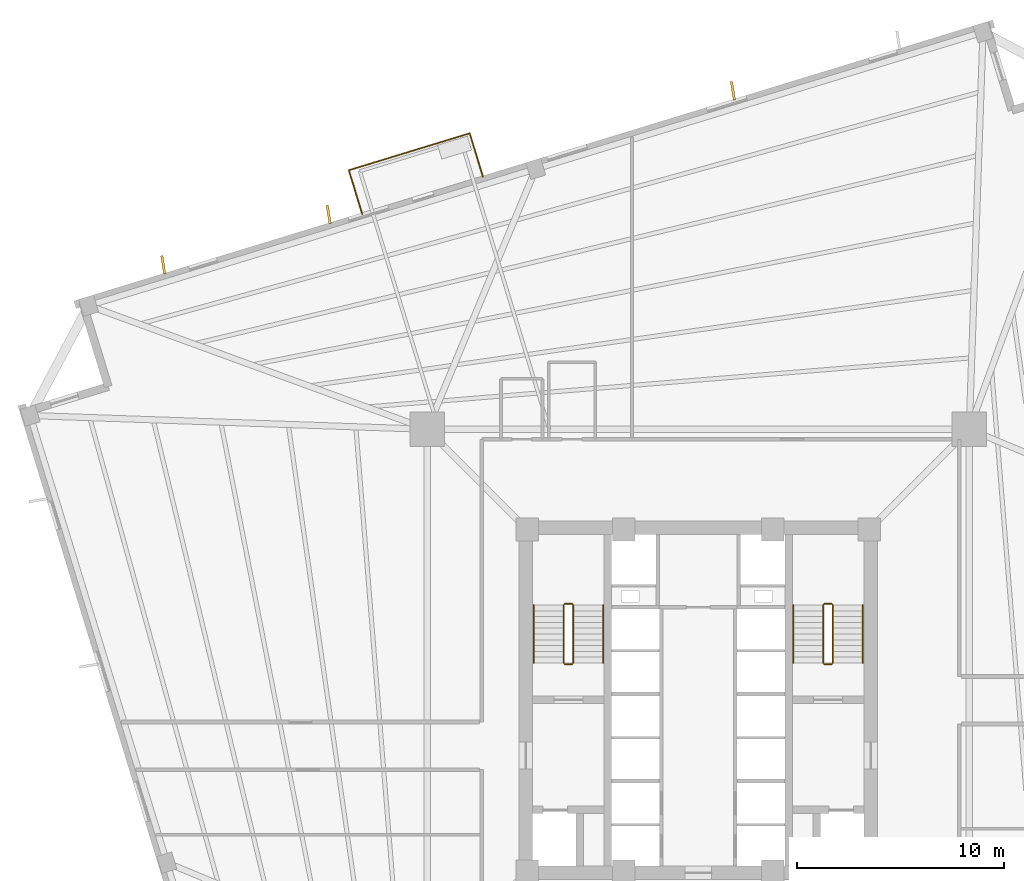
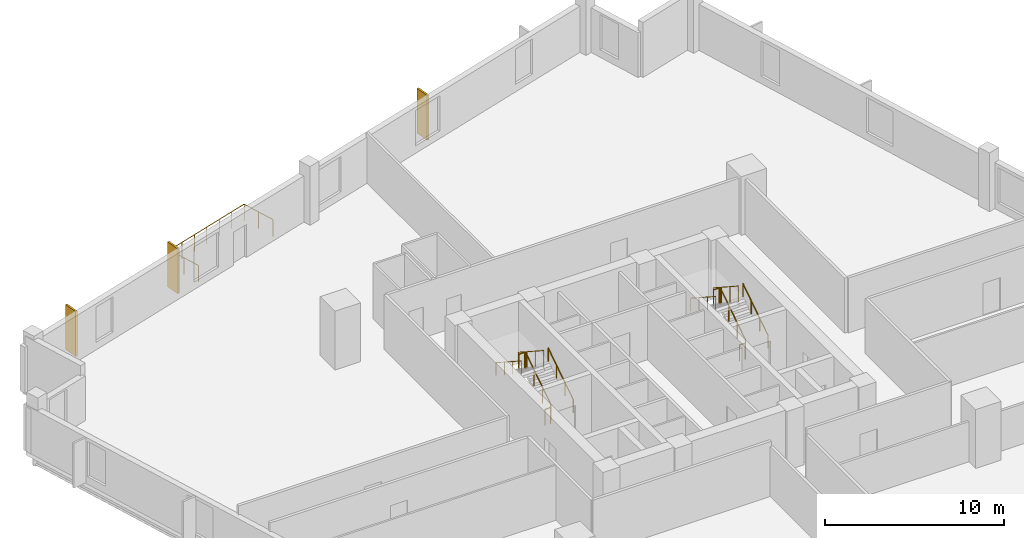
# One storey, part 7 of 8: 15 railings, 3 coverings.
"""IFC4 building model written with IfcOpenShell, lengths in metres."""

from ifc_helpers import new_model, si_unit, direction, frame, origin, origin_2d, place, context, subcontext, project, spatial, rectangle, circle, extrude, source, transform, mapped, material, layer, layer_set, type_object, element, save


model = new_model("IFC4")

# Units and contexts
model_context = context("Model", 3, precision=1e-05, world=origin(), true_north=direction((0.0, 1.0)))
body_context = subcontext(model_context, "Body", "Model", "MODEL_VIEW")
ifc_project = project(units=[si_unit("LENGTHUNIT", "METRE"), si_unit("AREAUNIT", "SQUARE_METRE"), si_unit("VOLUMEUNIT", "CUBIC_METRE"), si_unit("PLANEANGLEUNIT", "RADIAN"), si_unit("MASSUNIT", "GRAM", prefix="KILO"), si_unit("THERMODYNAMICTEMPERATUREUNIT", "KELVIN")], contexts=[model_context])

# Site, building, storey
site_placement = place(None, origin())
site = spatial("IfcSite", under=ifc_project, at=site_placement, CompositionType="ELEMENT")
building_placement = place(site_placement, origin())
building = spatial("IfcBuilding", under=site, at=building_placement, Name="Kosmvard Interchange Tower", CompositionType="ELEMENT")
storey_placement = place(building_placement, frame((0.0, 0.0, 99.199951171875)))
storey = spatial("IfcBuildingStorey", under=building, at=storey_placement, Name="L23", CompositionType="ELEMENT", Elevation=99.199951171875)

# Coverings
ifc_material_1 = material(Name="Architectural anodised aluminium", Category="aluminium")
ifc_layer = layer(ifc_material_1, 0.1201171875, Name="Architectural anodised aluminium")
ifc_layer_set = layer_set([ifc_layer], Name="Architectural anodised aluminium")
covering_type = type_object("IfcCoveringType", Name="Rotating Vertical Sun-Breaker Fin 900x120 Aluminium", PredefinedType="CLADDING", material=ifc_layer_set)
shared_shape_1 = source(origin(), body_context, "Body", "SweptSolid", [
    extrude(rectangle(XDim=0.89990234375, YDim=0.1201171875, at=origin_2d()), origin(), (0.0, 0.0, 1.0), 3.06005859375),
])
for number, where, z_axis, x_axis, name in (
    (1, (1.673583984375, 29.425048828125, 0.0400390625), (0.0, 0.0, 1.0), (-0.158330401065, 0.987386187922, 0.0), "L23 Rotating Vertical Sun-Breaker Fin 10"),
    (2, (-17.841796875, 23.45849609375, 0.0400390625), (0.0, 0.0, 1.0), (-0.158330401065, 0.987386187922, 0.0), "L23 Rotating Vertical Sun-Breaker Fin 11"),
    (3, (-25.825439453125, 21.017822265625, 0.0400390625), (0.0, 0.0, 1.0), (-0.158330401065, 0.987386187922, 0.0), "L23 Rotating Vertical Sun-Breaker Fin 12"),
):
    element("IfcCovering", number, at=place(storey_placement, frame(where, z_axis=z_axis, x_axis=x_axis)), inside=storey, type_object=covering_type, Name=name, PredefinedType="CLADDING", context=body_context, shape_type="MappedRepresentation", body=[
        mapped(shared_shape_1, transform((0.0, 0.0, 0.0), scale=1.0)),
    ])

# Railings
ifc_material_2 = material(Name="Steel S355", Category="steel")
railing_type_1 = type_object("IfcRailingType", Name="Observation & Balcony Glass-Infill Balustrade 1150", PredefinedType="BALUSTRADE", material=ifc_material_2)
shared_shape_2 = source(origin(), body_context, "Body", "SweptSolid", [
    extrude(circle(Radius=0.02392578125, at=origin_2d()), frame((0.0, 0.0, 1.1259765625), z_axis=(0.292291835236, -0.956329170869, 0.0), x_axis=(0.956329170869, 0.292291835236, 0.0)), (0.0, 0.0, 1.0), 2.2001953125),
    extrude(circle(Radius=0.02099609375, at=origin_2d()), origin(), (0.0, 0.0, 1.0), 1.101806640625),
    extrude(circle(Radius=0.02099609375, at=origin_2d()), frame((0.321533203125, -1.052001953125, 0.0)), (0.0, 0.0, 1.0), 1.101806640625),
    extrude(circle(Radius=0.02099609375, at=origin_2d()), frame((0.64306640625, -2.10400390625, 0.0)), (0.0, 0.0, 1.0), 1.101806640625),
])
railing_1_placement = place(storey_placement, frame((-16.86767578125, 25.58642578125, 0.0)))
element("IfcRailing", 4, at=railing_1_placement, inside=storey, type_object=railing_type_1, Name="L23 Outdoor Terrace Guard BAL-L23-NE-C", PredefinedType="BALUSTRADE", context=body_context, shape_type="MappedRepresentation", body=[
    mapped(shared_shape_2, transform((0.0, 0.0, 0.0), scale=1.0)),
])
shared_shape_3 = source(origin(), body_context, "Body", "SweptSolid", [
    extrude(circle(Radius=0.02392578125, at=origin_2d()), frame((0.0, 0.0, 1.1259765625), z_axis=(-0.292291835236, 0.956329170869, 0.0), x_axis=(-0.956329170869, -0.292291835236, 0.0)), (0.0, 0.0, 1.0), 2.2001953125),
    extrude(circle(Radius=0.02099609375, at=origin_2d()), origin(), (0.0, 0.0, 1.0), 1.101806640625),
    extrude(circle(Radius=0.02099609375, at=origin_2d()), frame((-0.321533203125, 1.052001953125, 0.0)), (0.0, 0.0, 1.0), 1.101806640625),
    extrude(circle(Radius=0.02099609375, at=origin_2d()), frame((-0.64306640625, 2.10400390625, 0.0)), (0.0, 0.0, 1.0), 1.101806640625),
])
railing_2_placement = place(storey_placement, frame((-10.39111328125, 25.265869140625, 0.0)))
element("IfcRailing", 5, at=railing_2_placement, inside=storey, type_object=railing_type_1, Name="L23 Outdoor Terrace Guard BAL-L23-NE-A", PredefinedType="BALUSTRADE", context=body_context, shape_type="MappedRepresentation", body=[
    mapped(shared_shape_3, transform((0.0, 0.0, 0.0), scale=1.0)),
])
shared_shape_4 = source(origin(), body_context, "Body", "SweptSolid", [
    extrude(circle(Radius=0.02392578125, at=origin_2d()), frame((0.0, 0.0, 1.1259765625), z_axis=(-0.956306198406, -0.292366986664, 0.0), x_axis=(0.292366986664, -0.956306198406, 0.0)), (0.0, 0.0, 1.0), 6.10009765625),
    extrude(circle(Radius=0.02099609375, at=origin_2d()), origin(), (0.0, 0.0, 1.0), 1.101806640625),
    extrude(circle(Radius=0.02099609375, at=origin_2d()), frame((-0.97216796875, -0.29736328125, 0.0)), (0.0, 0.0, 1.0), 1.101806640625),
    extrude(circle(Radius=0.02099609375, at=origin_2d()), frame((-1.944580078125, -0.594482421875, 0.0)), (0.0, 0.0, 1.0), 1.101806640625),
    extrude(circle(Radius=0.02099609375, at=origin_2d()), frame((-2.916748046875, -0.8916015625, 0.0)), (0.0, 0.0, 1.0), 1.101806640625),
    extrude(circle(Radius=0.02099609375, at=origin_2d()), frame((-3.888916015625, -1.18896484375, 0.0)), (0.0, 0.0, 1.0), 1.101806640625),
    extrude(circle(Radius=0.02099609375, at=origin_2d()), frame((-4.861328125, -1.486328125, 0.0)), (0.0, 0.0, 1.0), 1.101806640625),
    extrude(circle(Radius=0.02099609375, at=origin_2d()), frame((-5.83349609375, -1.783447265625, 0.0)), (0.0, 0.0, 1.0), 1.101806640625),
])
railing_3_placement = place(storey_placement, frame((-11.0341796875, 27.369873046875, 0.0)))
element("IfcRailing", 6, at=railing_3_placement, inside=storey, type_object=railing_type_1, Name="L23 Outdoor Terrace Guard BAL-L23-NE-B", PredefinedType="BALUSTRADE", context=body_context, shape_type="MappedRepresentation", body=[
    mapped(shared_shape_4, transform((0.0, 0.0, 0.0), scale=1.0)),
])
railing_type_2 = type_object("IfcRailingType", Name="Stair & Terrace Safety Guardrail 1100 Steel", PredefinedType="GUARDRAIL", material=ifc_material_2)
shared_shape_5 = source(origin(), body_context, "Body", "SweptSolid", [
    extrude(circle(Radius=0.02392578125, at=origin_2d()), frame((0.0, 0.0, 1.076171875), z_axis=(-1.0, 0.0, 0.0), x_axis=(0.0, -1.0, 0.0)), (0.0, 0.0, 1.0), 0.35986328125),
    extrude(circle(Radius=0.02099609375, at=origin_2d()), origin(), (0.0, 0.0, 1.0), 1.052001953125),
    extrude(circle(Radius=0.02099609375, at=origin_2d()), frame((-0.35986328125, 0.0, 0.0)), (0.0, 0.0, 1.0), 1.052001953125),
])
for number, where, name in (
    (7, (-6.090087890625, 4.64990234375, 2.0), "L23 ST-1 stair guard 2"),
    (8, (-6.090087890625, 1.75, 0.0), "L23 ST-1 stair guard 4"),
    (9, (6.449951171875, 4.64990234375, 2.0), "L23 ST-2 stair guard 2"),
    (10, (6.449951171875, 1.75, 0.0), "L23 ST-2 stair guard 4"),
):
    element("IfcRailing", number, at=place(storey_placement, frame(where)), inside=storey, type_object=railing_type_2, Name=name, PredefinedType="GUARDRAIL", context=body_context, shape_type="MappedRepresentation", body=[
        mapped(shared_shape_5, transform((0.0, 0.0, 0.0), scale=1.0)),
    ])
shared_shape_6 = source(origin(), body_context, "Body", "SweptSolid", [
    extrude(circle(Radius=0.02392578125, at=origin_2d()), frame((0.0, 0.0, 1.076171875), z_axis=(0.0, 0.838705829183, 0.544584733623), x_axis=(-1.0, 0.0, 0.0)), (0.0, 0.0, 1.0), 3.338623046875),
    extrude(circle(Radius=0.02099609375, at=origin_2d()), origin(), (0.0, 0.0, 1.0), 1.052001953125),
    extrude(circle(Radius=0.02099609375, at=origin_2d()), frame((0.0, 0.933349609375, 0.60595703125)), (0.0, 0.0, 1.0), 1.052001953125),
    extrude(circle(Radius=0.02099609375, at=origin_2d()), frame((0.0, 1.86669921875, 1.212158203125)), (0.0, 0.0, 1.0), 1.052001953125),
    extrude(circle(Radius=0.02099609375, at=origin_2d()), frame((0.0, 2.800048828125, 1.818115234375)), (0.0, 0.0, 1.0), 1.052001953125),
])
for number, where, name in (
    (11, (-6.0400390625, 1.800048828125, 0.181884765625), "L23 ST-1 stair guard 1"),
    (12, (6.5, 1.800048828125, 0.181884765625), "L23 ST-2 stair guard 1"),
):
    element("IfcRailing", number, at=place(storey_placement, frame(where)), inside=storey, type_object=railing_type_2, Name=name, PredefinedType="GUARDRAIL", context=body_context, shape_type="MappedRepresentation", body=[
        mapped(shared_shape_6, transform((0.0, 0.0, 0.0), scale=1.0)),
    ])
shared_shape_7 = source(origin(), body_context, "Body", "SweptSolid", [
    extrude(circle(Radius=0.02392578125, at=origin_2d()), frame((0.0, 0.0, 1.076171875), z_axis=(0.0, -0.838705829183, 0.544584733623), x_axis=(1.0, 0.0, 0.0)), (0.0, 0.0, 1.0), 3.338623046875),
    extrude(circle(Radius=0.02099609375, at=origin_2d()), origin(), (0.0, 0.0, 1.0), 1.052001953125),
    extrude(circle(Radius=0.02099609375, at=origin_2d()), frame((0.0, -0.933349609375, 0.60595703125)), (0.0, 0.0, 1.0), 1.052001953125),
    extrude(circle(Radius=0.02099609375, at=origin_2d()), frame((0.0, -1.86669921875, 1.212158203125)), (0.0, 0.0, 1.0), 1.052001953125),
    extrude(circle(Radius=0.02099609375, at=origin_2d()), frame((0.0, -2.800048828125, 1.818115234375)), (0.0, 0.0, 1.0), 1.052001953125),
])
for number, where, name in (
    (13, (-6.5, 4.60009765625, 2.181884765625), "L23 ST-1 stair guard 3"),
    (14, (6.0400390625, 4.60009765625, 2.181884765625), "L23 ST-2 stair guard 3"),
):
    element("IfcRailing", number, at=place(storey_placement, frame(where)), inside=storey, type_object=railing_type_2, Name=name, PredefinedType="GUARDRAIL", context=body_context, shape_type="MappedRepresentation", body=[
        mapped(shared_shape_7, transform((0.0, 0.0, 0.0), scale=1.0)),
    ])
railing_type_3 = type_object("IfcRailingType", Name="Wall-Mounted Stair Handrail 900 Steel", PredefinedType="HANDRAIL", material=ifc_material_2)
shared_shape_8 = source(origin(), body_context, "Body", "SweptSolid", [
    extrude(circle(Radius=0.02392578125, at=origin_2d()), frame((0.0, 0.0, 0.8759765625), z_axis=(0.0, 0.838705829183, 0.544584733623), x_axis=(-1.0, 0.0, 0.0)), (0.0, 0.0, 1.0), 3.338623046875),
    extrude(circle(Radius=0.02099609375, at=origin_2d()), origin(), (0.0, 0.0, 1.0), 0.851806640625),
    extrude(circle(Radius=0.02099609375, at=origin_2d()), frame((0.0, 0.933349609375, 0.60595703125)), (0.0, 0.0, 1.0), 0.851806640625),
    extrude(circle(Radius=0.02099609375, at=origin_2d()), frame((0.0, 1.86669921875, 1.212158203125)), (0.0, 0.0, 1.0), 0.851806640625),
    extrude(circle(Radius=0.02099609375, at=origin_2d()), frame((0.0, 2.800048828125, 1.818115234375)), (0.0, 0.0, 1.0), 0.851806640625),
])
for number, where, name in (
    (15, (-4.590087890625, 1.800048828125, 0.181884765625), "L23 ST-1 stair handrail 1"),
    (16, (7.949951171875, 1.800048828125, 0.181884765625), "L23 ST-2 stair handrail 1"),
):
    element("IfcRailing", number, at=place(storey_placement, frame(where)), inside=storey, type_object=railing_type_3, Name=name, PredefinedType="HANDRAIL", context=body_context, shape_type="MappedRepresentation", body=[
        mapped(shared_shape_8, transform((0.0, 0.0, 0.0), scale=1.0)),
    ])
shared_shape_9 = source(origin(), body_context, "Body", "SweptSolid", [
    extrude(circle(Radius=0.02392578125, at=origin_2d()), frame((0.0, 0.0, 0.8759765625), z_axis=(0.0, -0.838705829183, 0.544584733623), x_axis=(1.0, 0.0, 0.0)), (0.0, 0.0, 1.0), 3.338623046875),
    extrude(circle(Radius=0.02099609375, at=origin_2d()), origin(), (0.0, 0.0, 1.0), 0.851806640625),
    extrude(circle(Radius=0.02099609375, at=origin_2d()), frame((0.0, -0.933349609375, 0.60595703125)), (0.0, 0.0, 1.0), 0.851806640625),
    extrude(circle(Radius=0.02099609375, at=origin_2d()), frame((0.0, -1.86669921875, 1.212158203125)), (0.0, 0.0, 1.0), 0.851806640625),
    extrude(circle(Radius=0.02099609375, at=origin_2d()), frame((0.0, -2.800048828125, 1.818115234375)), (0.0, 0.0, 1.0), 0.851806640625),
])
for number, where, name in (
    (17, (-7.949951171875, 4.60009765625, 2.181884765625), "L23 ST-1 stair handrail 2"),
    (18, (4.590087890625, 4.60009765625, 2.181884765625), "L23 ST-2 stair handrail 2"),
):
    element("IfcRailing", number, at=place(storey_placement, frame(where)), inside=storey, type_object=railing_type_3, Name=name, PredefinedType="HANDRAIL", context=body_context, shape_type="MappedRepresentation", body=[
        mapped(shared_shape_9, transform((0.0, 0.0, 0.0), scale=1.0)),
    ])

save(model, "model.ifc")
